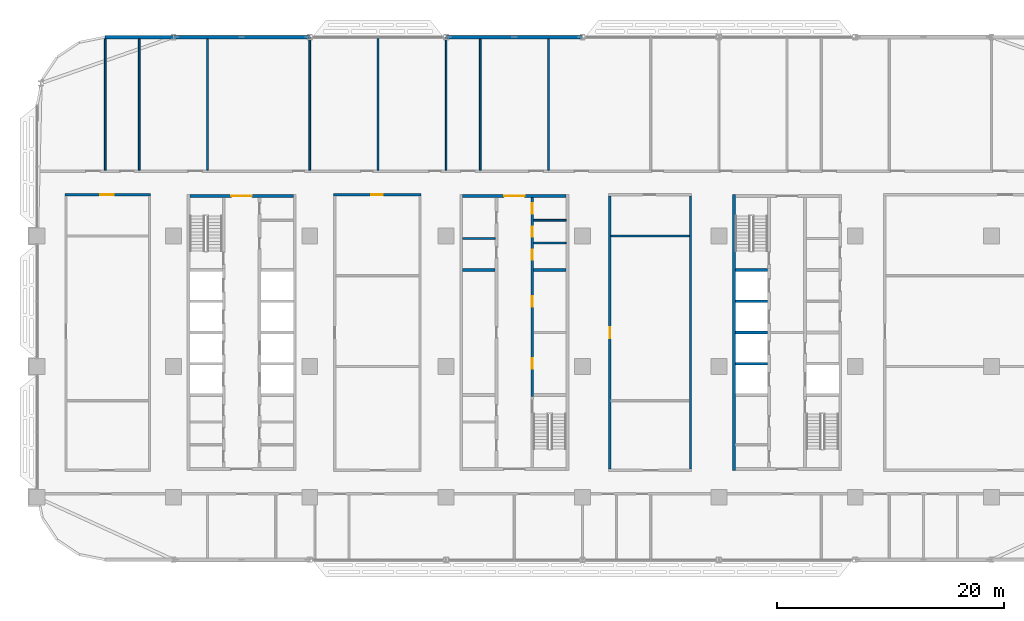
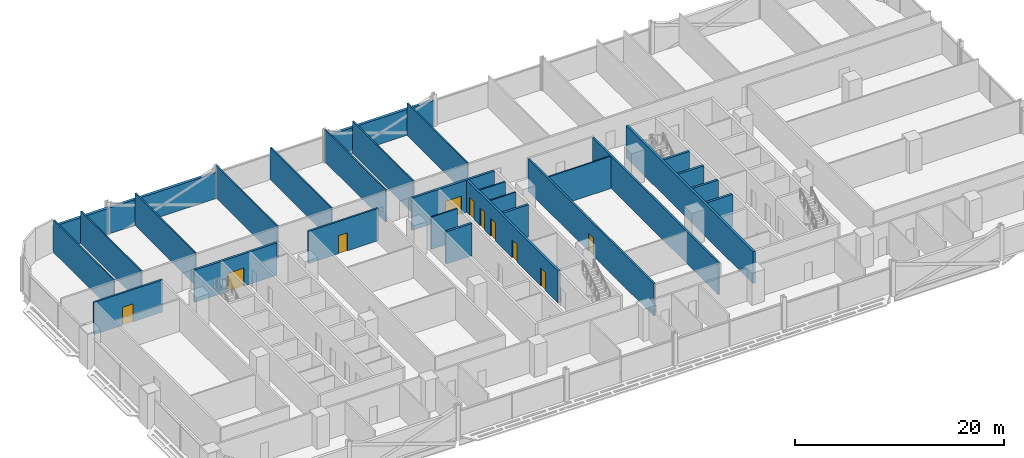
# One storey, part 14 of 29: 29 walls, 10 doors, 10 openings.
"""IFC4 building model written with IfcOpenShell, lengths in metres."""

from ifc_helpers import new_model, si_unit, direction, frame, frame_2d, origin, place, context, subcontext, project, spatial, rectangle, extrude, material, layer, layer_set, type_object, element, fill, save


model = new_model("IFC4")

# Units and contexts
model_context = context("Model", 3, precision=1e-05, world=origin(), true_north=direction((0.0, 1.0)))
body_context = subcontext(model_context, "Body", "Model", "MODEL_VIEW")
ifc_project = project(units=[si_unit("LENGTHUNIT", "METRE"), si_unit("AREAUNIT", "SQUARE_METRE"), si_unit("VOLUMEUNIT", "CUBIC_METRE"), si_unit("PLANEANGLEUNIT", "RADIAN"), si_unit("MASSUNIT", "GRAM", prefix="KILO")], contexts=[model_context])

# Site, building, storey
site_placement = place(None, origin())
site = spatial("IfcSite", under=ifc_project, at=site_placement, CompositionType="ELEMENT")
building_placement = place(site_placement, origin())
building = spatial("IfcBuilding", under=site, at=building_placement, Name="Mahtab Terrace Research Tower", CompositionType="ELEMENT")
storey_placement = place(building_placement, frame((0.0, 0.0, 105.300048828125)))
storey = spatial("IfcBuildingStorey", under=building, at=storey_placement, Name="L24", CompositionType="ELEMENT", Elevation=105.300048828125)

# Walls
ifc_material_1 = material(Name="Gypsum board partition")
ifc_layer_1 = layer(ifc_material_1, 0.14990234375)
ifc_layer_set_1 = layer_set([ifc_layer_1], Name="Core partition 150")
wall_type_1 = type_object("IfcWallType", Name="Core partition 150", PredefinedType="PARTITIONING", material=ifc_layer_set_1)
for number, where, z_axis, x_axis, name in (
    (1, (-4.550048828125, 11.27490234375, 0.0), (0.0, 0.0, 1.0), (1.0, 0.0, 0.0), "Core wall B pWN828"),
    (2, (1.699951171875, 10.875, 0.0), (0.0, 0.0, 1.0), (1.0, 0.0, 0.0), "Core wall B pEN788"),
    (3, (1.699951171875, 12.875, 0.0), (0.0, 0.0, 1.0), (1.0, 0.0, 0.0), "Core wall B pEN988"),
):
    element("IfcWall", number, at=place(storey_placement, frame(where, z_axis=z_axis, x_axis=x_axis)), inside=storey, type_object=wall_type_1, Name=name, PredefinedType="PARTITIONING", context=body_context, shape_type="SweptSolid", body=[
        extrude(rectangle(XDim=2.85009765625, YDim=0.14990234375, at=frame_2d((1.425048828125, 0.0))), origin(), (0.0, 0.0, 1.0), 3.760009765625),
    ])

# Wall, opening, door
ifc_material_2 = material(Name="Concrete C70/85", Category="concrete")
ifc_layer_2 = layer(ifc_material_2, 0.25)
ifc_layer_set_2 = layer_set([ifc_layer_2], Name="Core wall 250")
wall_type_2 = type_object("IfcWallType", Name="Core wall 250", PredefinedType="SOLIDWALL", material=ifc_layer_set_2)
wall_1_placement = place(storey_placement, frame((-28.550048828125, 15.0, 0.0), z_axis=(0.0, 0.0, 1.0), x_axis=(1.0, 0.0, 0.0)))
wall_1 = element("IfcWall", 4, at=wall_1_placement, inside=storey, type_object=wall_type_2, Name="Core wall A endN", PredefinedType="SOLIDWALL", context=body_context, shape_type="SweptSolid", body=[
    extrude(rectangle(XDim=9.10009765625, YDim=0.25, at=frame_2d((4.550048828125, 0.0))), origin(), (0.0, 0.0, 1.0), 3.760009765625),
])
opening_1_placement = place(wall_1_placement, frame((3.64990234375, 0.0, 0.0)))
opening_1 = element("IfcOpeningElement", 5, at=opening_1_placement, cuts=wall_1, Name="Opening A-N1", PredefinedType="OPENING", context=body_context, shape_type="SweptSolid", body=[
    extrude(rectangle(XDim=1.800048828125, YDim=2.10009765625, at=frame_2d((0.89990234375, 1.050048828125))), frame((0.0, 0.135009765625, 0.0), z_axis=(0.0, -1.0, 0.0), x_axis=(1.0, 0.0, 0.0)), (0.0, 0.0, 1.0), 0.27001953125),
])
ifc_material_3 = material(Name="Steel fire door", Category="steel")
door_type_1 = type_object("IfcDoorType", Name="Lobby double door 1800x2100 1 HR", OperationType="DOUBLE_DOOR_SINGLE_SWING", PredefinedType="DOOR", material=ifc_material_3)
door_1_placement = place(opening_1_placement, origin())
door_1 = element("IfcDoor", 6, at=door_1_placement, inside=storey, type_object=door_type_1, Name="Core entrance door A N", OperationType="DOUBLE_DOOR_SINGLE_SWING", OverallHeight=2.10009765625, OverallWidth=1.800048828125, PredefinedType="DOOR", context=body_context, shape_type="SweptSolid", body=[
    extrude(rectangle(XDim=1.800048828125, YDim=2.10009765625, at=frame_2d((0.89990234375, 1.050048828125))), frame((0.0, 0.02490234375, 0.0), z_axis=(0.0, -1.0, 0.0), x_axis=(1.0, 0.0, 0.0)), (0.0, 0.0, 1.0), 0.050048828125),
])
fill(opening_1, door_1)

wall_2_placement = place(storey_placement, frame((-4.550048828125, 15.0, 0.0), z_axis=(0.0, 0.0, 1.0), x_axis=(1.0, 0.0, 0.0)))
wall_2 = element("IfcWall", 7, at=wall_2_placement, inside=storey, type_object=wall_type_2, Name="Core wall B endN", PredefinedType="SOLIDWALL", context=body_context, shape_type="SweptSolid", body=[
    extrude(rectangle(XDim=9.10009765625, YDim=0.25, at=frame_2d((4.550048828125, 0.0))), origin(), (0.0, 0.0, 1.0), 3.760009765625),
])
opening_2_placement = place(wall_2_placement, frame((3.64990234375, 0.0, 0.0)))
opening_2 = element("IfcOpeningElement", 8, at=opening_2_placement, cuts=wall_2, Name="Opening B-N1", PredefinedType="OPENING", context=body_context, shape_type="SweptSolid", body=[
    extrude(rectangle(XDim=1.800048828125, YDim=2.10009765625, at=frame_2d((0.89990234375, 1.050048828125))), frame((0.0, 0.135009765625, 0.0), z_axis=(0.0, -1.0, 0.0), x_axis=(1.0, 0.0, 0.0)), (0.0, 0.0, 1.0), 0.27001953125),
])
door_2_placement = place(opening_2_placement, origin())
door_2 = element("IfcDoor", 9, at=door_2_placement, inside=storey, type_object=door_type_1, Name="Core entrance door B N", OperationType="DOUBLE_DOOR_SINGLE_SWING", OverallHeight=2.10009765625, OverallWidth=1.800048828125, PredefinedType="DOOR", context=body_context, shape_type="SweptSolid", body=[
    extrude(rectangle(XDim=1.800048828125, YDim=2.10009765625, at=frame_2d((0.89990234375, 1.050048828125))), frame((0.0, 0.02490234375, 0.0), z_axis=(0.0, -1.0, 0.0), x_axis=(1.0, 0.0, 0.0)), (0.0, 0.0, 1.0), 0.050048828125),
])
fill(opening_2, door_2)

# Wall, openings, doors
wall_3_placement = place(storey_placement, frame((1.574951171875, 14.875, 0.0), z_axis=(0.0, 0.0, 1.0), x_axis=(0.0, -1.0, 0.0)))
wall_3 = element("IfcWall", 10, at=wall_3_placement, inside=storey, type_object=wall_type_2, Name="Core wall B innerELN", PredefinedType="SOLIDWALL", context=body_context, shape_type="SweptSolid", body=[
    extrude(rectangle(XDim=17.5, YDim=0.25, at=frame_2d((8.75, 0.0))), origin(), (0.0, 0.0, 1.0), 3.760009765625),
])
opening_3_placement = place(wall_3_placement, frame((14.14990234375, 0.0, 0.0)))
opening_3 = element("IfcOpeningElement", 11, at=opening_3_placement, cuts=wall_3, Name="Opening B-R2", PredefinedType="OPENING", context=body_context, shape_type="SweptSolid", body=[
    extrude(rectangle(XDim=0.89990234375, YDim=2.10009765625, at=frame_2d((0.449951171875, 1.050048828125))), frame((0.0, 0.135009765625, 0.0), z_axis=(0.0, -1.0, 0.0), x_axis=(1.0, 0.0, 0.0)), (0.0, 0.0, 1.0), 0.27001953125),
])
opening_4_placement = place(wall_3_placement, frame((8.699951171875, 0.0, 0.0)))
opening_4 = element("IfcOpeningElement", 12, at=opening_4_placement, cuts=wall_3, Name="Opening B-R3", PredefinedType="OPENING", context=body_context, shape_type="SweptSolid", body=[
    extrude(rectangle(XDim=0.89990234375, YDim=2.10009765625, at=frame_2d((0.449951171875, 1.050048828125))), frame((0.0, 0.135009765625, 0.0), z_axis=(0.0, -1.0, 0.0), x_axis=(1.0, 0.0, 0.0)), (0.0, 0.0, 1.0), 0.27001953125),
])
opening_5_placement = place(wall_3_placement, frame((4.58740234375, 0.0, 0.0)))
opening_5 = element("IfcOpeningElement", 13, at=opening_5_placement, cuts=wall_3, Name="Opening B-R8", PredefinedType="OPENING", context=body_context, shape_type="SweptSolid", body=[
    extrude(rectangle(XDim=0.89990234375, YDim=2.10009765625, at=frame_2d((0.449951171875, 1.050048828125))), frame((0.0, 0.135009765625, 0.0), z_axis=(0.0, -1.0, 0.0), x_axis=(1.0, 0.0, 0.0)), (0.0, 0.0, 1.0), 0.27001953125),
])
opening_6_placement = place(wall_3_placement, frame((2.550048828125, 0.0, 0.0)))
opening_6 = element("IfcOpeningElement", 14, at=opening_6_placement, cuts=wall_3, Name="Opening B-R9", PredefinedType="OPENING", context=body_context, shape_type="SweptSolid", body=[
    extrude(rectangle(XDim=0.89990234375, YDim=2.10009765625, at=frame_2d((0.449951171875, 1.050048828125))), frame((0.0, 0.135009765625, 0.0), z_axis=(0.0, -1.0, 0.0), x_axis=(1.0, 0.0, 0.0)), (0.0, 0.0, 1.0), 0.27001953125),
])
opening_7_placement = place(wall_3_placement, frame((0.512451171875, 0.0, 0.0)))
opening_7 = element("IfcOpeningElement", 15, at=opening_7_placement, cuts=wall_3, Name="Opening B-R10", PredefinedType="OPENING", context=body_context, shape_type="SweptSolid", body=[
    extrude(rectangle(XDim=0.89990234375, YDim=2.10009765625, at=frame_2d((0.449951171875, 1.050048828125))), frame((0.0, 0.135009765625, 0.0), z_axis=(0.0, -1.0, 0.0), x_axis=(1.0, 0.0, 0.0)), (0.0, 0.0, 1.0), 0.27001953125),
])
door_type_2 = type_object("IfcDoorType", Name="Room door 900x2100 1 HR", OperationType="NOTDEFINED", PredefinedType="DOOR", material=ifc_material_3)
door_3_placement = place(opening_3_placement, origin())
door_3 = element("IfcDoor", 16, at=door_3_placement, inside=storey, type_object=door_type_2, Name="Document store door", OperationType="SINGLE_SWING_RIGHT", OverallHeight=2.10009765625, OverallWidth=0.89990234375, PredefinedType="DOOR", context=body_context, shape_type="SweptSolid", body=[
    extrude(rectangle(XDim=0.89990234375, YDim=2.10009765625, at=frame_2d((0.449951171875, 1.050048828125))), frame((0.0, 0.02490234375, 0.0), z_axis=(0.0, -1.0, 0.0), x_axis=(1.0, 0.0, 0.0)), (0.0, 0.0, 1.0), 0.050048828125),
])
fill(opening_3, door_3)
door_4_placement = place(opening_4_placement, origin())
door_4 = element("IfcDoor", 17, at=door_4_placement, inside=storey, type_object=door_type_2, Name="IT equipment room door", OperationType="SINGLE_SWING_LEFT", OverallHeight=2.10009765625, OverallWidth=0.89990234375, PredefinedType="DOOR", context=body_context, shape_type="SweptSolid", body=[
    extrude(rectangle(XDim=0.89990234375, YDim=2.10009765625, at=frame_2d((0.449951171875, 1.050048828125))), frame((0.0, 0.02490234375, 0.0), z_axis=(0.0, -1.0, 0.0), x_axis=(1.0, 0.0, 0.0)), (0.0, 0.0, 1.0), 0.050048828125),
])
fill(opening_4, door_4)
door_5_placement = place(opening_5_placement, origin())
door_5 = element("IfcDoor", 18, at=door_5_placement, inside=storey, type_object=door_type_2, Name="Male WC door", OperationType="SINGLE_SWING_RIGHT", OverallHeight=2.10009765625, OverallWidth=0.89990234375, PredefinedType="DOOR", context=body_context, shape_type="SweptSolid", body=[
    extrude(rectangle(XDim=0.89990234375, YDim=2.10009765625, at=frame_2d((0.449951171875, 1.050048828125))), frame((0.0, 0.02490234375, 0.0), z_axis=(0.0, -1.0, 0.0), x_axis=(1.0, 0.0, 0.0)), (0.0, 0.0, 1.0), 0.050048828125),
])
fill(opening_5, door_5)
door_6_placement = place(opening_6_placement, origin())
door_6 = element("IfcDoor", 19, at=door_6_placement, inside=storey, type_object=door_type_2, Name="Female WC door", OperationType="SINGLE_SWING_LEFT", OverallHeight=2.10009765625, OverallWidth=0.89990234375, PredefinedType="DOOR", context=body_context, shape_type="SweptSolid", body=[
    extrude(rectangle(XDim=0.89990234375, YDim=2.10009765625, at=frame_2d((0.449951171875, 1.050048828125))), frame((0.0, 0.02490234375, 0.0), z_axis=(0.0, -1.0, 0.0), x_axis=(1.0, 0.0, 0.0)), (0.0, 0.0, 1.0), 0.050048828125),
])
fill(opening_6, door_6)
door_7_placement = place(opening_7_placement, origin())
door_7 = element("IfcDoor", 20, at=door_7_placement, inside=storey, type_object=door_type_2, Name="Accessible WC door", OperationType="SINGLE_SWING_RIGHT", OverallHeight=2.10009765625, OverallWidth=0.89990234375, PredefinedType="DOOR", context=body_context, shape_type="SweptSolid", body=[
    extrude(rectangle(XDim=0.89990234375, YDim=2.10009765625, at=frame_2d((0.449951171875, 1.050048828125))), frame((0.0, 0.02490234375, 0.0), z_axis=(0.0, -1.0, 0.0), x_axis=(1.0, 0.0, 0.0)), (0.0, 0.0, 1.0), 0.050048828125),
])
fill(opening_7, door_7)

# Walls
for number, where, z_axis, x_axis, name in (
    (21, (-4.550048828125, 8.5, 0.0), (0.0, 0.0, 1.0), (1.0, 0.0, 0.0), "Core wall B divW4"),
    (22, (1.699951171875, 8.5, 0.0), (0.0, 0.0, 1.0), (1.0, 0.0, 0.0), "Core wall B divE4"),
):
    element("IfcWall", number, at=place(storey_placement, frame(where, z_axis=z_axis, x_axis=x_axis)), inside=storey, type_object=wall_type_2, Name=name, PredefinedType="SOLIDWALL", context=body_context, shape_type="SweptSolid", body=[
        extrude(rectangle(XDim=2.85009765625, YDim=0.25, at=frame_2d((1.425048828125, 0.0))), origin(), (0.0, 0.0, 1.0), 3.760009765625),
    ])
wall_4_placement = place(storey_placement, frame((19.324951171875, 15.125, 0.0), z_axis=(0.0, 0.0, 1.0), x_axis=(0.0, -1.0, 0.0)))
element("IfcWall", 23, at=wall_4_placement, inside=storey, type_object=wall_type_2, Name="Core wall C outerW", PredefinedType="SOLIDWALL", context=body_context, shape_type="SweptSolid", body=[
    extrude(rectangle(XDim=24.25, YDim=0.25, at=frame_2d((12.125, 0.0))), origin(), (0.0, 0.0, 1.0), 3.760009765625),
])
for number, where, z_axis, x_axis, name in (
    (24, (19.449951171875, 0.25, 0.0), (0.0, 0.0, 1.0), (1.0, 0.0, 0.0), "Core wall C divW1"),
    (25, (19.449951171875, 3.0, 0.0), (0.0, 0.0, 1.0), (1.0, 0.0, 0.0), "Core wall C divW2"),
    (26, (19.449951171875, 5.75, 0.0), (0.0, 0.0, 1.0), (1.0, 0.0, 0.0), "Core wall C divW3"),
    (27, (19.449951171875, 8.5, 0.0), (0.0, 0.0, 1.0), (1.0, 0.0, 0.0), "Core wall C divW4"),
):
    element("IfcWall", number, at=place(storey_placement, frame(where, z_axis=z_axis, x_axis=x_axis)), inside=storey, type_object=wall_type_2, Name=name, PredefinedType="SOLIDWALL", context=body_context, shape_type="SweptSolid", body=[
        extrude(rectangle(XDim=2.85009765625, YDim=0.25, at=frame_2d((1.425048828125, 0.0))), origin(), (0.0, 0.0, 1.0), 3.760009765625),
    ])
ifc_material_4 = material(Name="Black aluminium cladding panel", Category="aluminium")
ifc_layer_3 = layer(ifc_material_4, 0.300048828125)
ifc_layer_set_3 = layer_set([ifc_layer_3], Name="Opaque facade wall 300")
wall_type_3 = type_object("IfcWallType", Name="Opaque facade wall 300", PredefinedType="NOTDEFINED", material=ifc_layer_set_3)
for number, where, z_axis, x_axis, name in (
    (28, (5.97900390625, 29.0, 0.0), (0.0, 0.0, 1.0), (-1.0, 0.0, 0.0), "Opaque facade wall L24 N7"),
    (29, (-18.02099609375, 29.0, 0.0), (0.0, 0.0, 1.0), (-1.0, 0.0, 0.0), "Opaque facade wall L24 N9"),
):
    element("IfcWall", number, at=place(storey_placement, frame(where, z_axis=z_axis, x_axis=x_axis)), inside=storey, type_object=wall_type_3, Name=name, PredefinedType="NOTDEFINED", context=body_context, shape_type="SweptSolid", body=[
        extrude(rectangle(XDim=11.9580078125, YDim=0.300048828125, at=frame_2d((5.97900390625, 0.0))), origin(), (0.0, 0.0, 1.0), 3.0029296875),
    ])
wall_5_placement = place(storey_placement, frame((-30.02099609375, 29.0, 0.0), z_axis=(0.0, 0.0, 1.0), x_axis=(-1.0, 0.0, 0.0)))
element("IfcWall", 30, at=wall_5_placement, inside=storey, type_object=wall_type_3, Name="Opaque facade wall L24 N10", PredefinedType="NOTDEFINED", context=body_context, shape_type="SweptSolid", body=[
    extrude(rectangle(XDim=5.97900390625, YDim=0.300048828125, at=frame_2d((2.989501953125, 0.0))), origin(), (0.0, 0.0, 1.0), 3.0029296875),
])

# Wall, opening, door
ifc_material_5 = material(Name="Gypsum board corridor wall on steel studs", Category="steel")
ifc_layer_4 = layer(ifc_material_5, 0.199951171875)
ifc_layer_set_4 = layer_set([ifc_layer_4], Name="WALL CORRIDOR 200")
wall_type_4 = type_object("IfcWallType", Name="WALL CORRIDOR 200", PredefinedType="PARTITIONING", material=ifc_layer_set_4)
wall_6_placement = place(storey_placement, frame((-39.550048828125, 15.125, 0.0), z_axis=(0.0, 0.0, 1.0), x_axis=(1.0, 0.0, 0.0)))
wall_6 = element("IfcWall", 31, at=wall_6_placement, inside=storey, type_object=wall_type_4, Name="L24-W022", PredefinedType="PARTITIONING", context=body_context, shape_type="SweptSolid", body=[
    extrude(rectangle(XDim=7.550048828125, YDim=0.199951171875, at=frame_2d((3.77490234375, 0.0))), origin(), (0.0, 0.0, 1.0), 3.760009765625),
])
opening_8_placement = place(wall_6_placement, frame((3.10009765625, 0.0, 0.0)))
opening_8 = element("IfcOpeningElement", 32, at=opening_8_placement, cuts=wall_6, Name="Opening L24-124", PredefinedType="OPENING", context=body_context, shape_type="SweptSolid", body=[
    extrude(rectangle(XDim=1.199951171875, YDim=2.10009765625, at=frame_2d((0.60009765625, 1.050048828125))), frame((0.0, 0.10986328125, 0.0), z_axis=(0.0, -1.0, 0.0), x_axis=(1.0, 0.0, 0.0)), (0.0, 0.0, 1.0), 0.219970703125),
])
ifc_material_6 = material(Name="Timber door leaf in steel frame", Category="steel")
door_type_3 = type_object("IfcDoorType", Name="DOOR 1200X2100 FD30S", OperationType="SINGLE_SWING_LEFT", PredefinedType="DOOR", material=ifc_material_6)
door_8_placement = place(opening_8_placement, origin())
door_8 = element("IfcDoor", 33, at=door_8_placement, inside=storey, type_object=door_type_3, Name="Door L24-124", OperationType="SINGLE_SWING_RIGHT", OverallHeight=2.10009765625, OverallWidth=1.199951171875, PredefinedType="DOOR", context=body_context, shape_type="SweptSolid", body=[
    extrude(rectangle(XDim=1.199951171875, YDim=2.10009765625, at=frame_2d((0.60009765625, 1.050048828125))), frame((0.0, 0.02490234375, 0.0), z_axis=(0.0, -1.0, 0.0), x_axis=(1.0, 0.0, 0.0)), (0.0, 0.0, 1.0), 0.050048828125),
])
fill(opening_8, door_8)

wall_7_placement = place(storey_placement, frame((-15.89990234375, 15.125, 0.0), z_axis=(0.0, 0.0, 1.0), x_axis=(1.0, 0.0, 0.0)))
wall_7 = element("IfcWall", 34, at=wall_7_placement, inside=storey, type_object=wall_type_4, Name="L24-W023", PredefinedType="PARTITIONING", context=body_context, shape_type="SweptSolid", body=[
    extrude(rectangle(XDim=7.699951171875, YDim=0.199951171875, at=frame_2d((3.85009765625, 0.0))), origin(), (0.0, 0.0, 1.0), 3.760009765625),
])
opening_9_placement = place(wall_7_placement, frame((3.300048828125, 0.0, 0.0)))
opening_9 = element("IfcOpeningElement", 35, at=opening_9_placement, cuts=wall_7, Name="Opening L24-122", PredefinedType="OPENING", context=body_context, shape_type="SweptSolid", body=[
    extrude(rectangle(XDim=1.0, YDim=2.10009765625, at=frame_2d((0.5, 1.050048828125))), frame((0.0, 0.10986328125, 0.0), z_axis=(0.0, -1.0, 0.0), x_axis=(1.0, 0.0, 0.0)), (0.0, 0.0, 1.0), 0.219970703125),
])
door_type_4 = type_object("IfcDoorType", Name="DOOR 1000X2100 FD30S", OperationType="SINGLE_SWING_LEFT", PredefinedType="DOOR", material=ifc_material_6)
door_9_placement = place(opening_9_placement, origin())
door_9 = element("IfcDoor", 36, at=door_9_placement, inside=storey, type_object=door_type_4, Name="Door L24-122", OperationType="SINGLE_SWING_RIGHT", OverallHeight=2.10009765625, OverallWidth=1.0, PredefinedType="DOOR", context=body_context, shape_type="SweptSolid", body=[
    extrude(rectangle(XDim=1.0, YDim=2.10009765625, at=frame_2d((0.5, 1.050048828125))), frame((0.0, 0.02490234375, 0.0), z_axis=(0.0, -1.0, 0.0), x_axis=(1.0, 0.0, 0.0)), (0.0, 0.0, 1.0), 0.050048828125),
])
fill(opening_9, door_9)

wall_8_placement = place(storey_placement, frame((8.39990234375, -9.02490234375, 0.0), z_axis=(0.0, 0.0, 1.0), x_axis=(0.0, 1.0, 0.0)))
wall_8 = element("IfcWall", 37, at=wall_8_placement, inside=storey, type_object=wall_type_4, Name="L24-W045", PredefinedType="PARTITIONING", context=body_context, shape_type="SweptSolid", body=[
    extrude(rectangle(XDim=24.0498046875, YDim=0.199951171875, at=frame_2d((12.02490234375, 0.0))), origin(), (0.0, 0.0, 1.0), 3.760009765625),
])
opening_10_placement = place(wall_8_placement, frame((11.5, 0.0, 0.0)))
opening_10 = element("IfcOpeningElement", 38, at=opening_10_placement, cuts=wall_8, Name="Opening L24-120", PredefinedType="OPENING", context=body_context, shape_type="SweptSolid", body=[
    extrude(rectangle(XDim=1.0, YDim=2.10009765625, at=frame_2d((0.5, 1.050048828125))), frame((0.0, 0.10986328125, 0.0), z_axis=(0.0, -1.0, 0.0), x_axis=(1.0, 0.0, 0.0)), (0.0, 0.0, 1.0), 0.219970703125),
])
door_10_placement = place(opening_10_placement, origin())
door_10 = element("IfcDoor", 39, at=door_10_placement, inside=storey, type_object=door_type_4, Name="Door L24-120", OperationType="SINGLE_SWING_RIGHT", OverallHeight=2.10009765625, OverallWidth=1.0, PredefinedType="DOOR", context=body_context, shape_type="SweptSolid", body=[
    extrude(rectangle(XDim=1.0, YDim=2.10009765625, at=frame_2d((0.5, 1.050048828125))), frame((0.0, 0.02490234375, 0.0), z_axis=(0.0, -1.0, 0.0), x_axis=(1.0, 0.0, 0.0)), (0.0, 0.0, 1.0), 0.050048828125),
])
fill(opening_10, door_10)

# Walls
wall_9_placement = place(storey_placement, frame((15.5, -9.02490234375, 0.0), z_axis=(0.0, 0.0, 1.0), x_axis=(0.0, 1.0, 0.0)))
element("IfcWall", 40, at=wall_9_placement, inside=storey, type_object=wall_type_4, Name="L24-W049", PredefinedType="PARTITIONING", context=body_context, shape_type="SweptSolid", body=[
    extrude(rectangle(XDim=24.0498046875, YDim=0.199951171875, at=frame_2d((12.02490234375, 0.0))), origin(), (0.0, 0.0, 1.0), 3.760009765625),
])
ifc_material_7 = material(Name="Gypsum board partition on steel studs", Category="steel")
ifc_layer_5 = layer(ifc_material_7, 0.14990234375)
ifc_layer_set_5 = layer_set([ifc_layer_5], Name="WALL PARTITION 150")
wall_type_5 = type_object("IfcWallType", Name="WALL PARTITION 150", PredefinedType="PARTITIONING", material=ifc_layer_set_5)
wall_10_placement = place(storey_placement, frame((8.5, 11.5, 0.0), z_axis=(0.0, 0.0, 1.0), x_axis=(1.0, 0.0, 0.0)))
element("IfcWall", 41, at=wall_10_placement, inside=storey, type_object=wall_type_5, Name="L24-W021", PredefinedType="PARTITIONING", context=body_context, shape_type="SweptSolid", body=[
    extrude(rectangle(XDim=6.89990234375, YDim=0.14990234375, at=frame_2d((3.449951171875, 0.0))), origin(), (0.0, 0.0, 1.0), 3.760009765625),
])
wall_11_placement = place(storey_placement, frame((-36.0, 17.300048828125, 0.0), z_axis=(0.0, 0.0, 1.0), x_axis=(0.0, 1.0, 0.0)))
element("IfcWall", 42, at=wall_11_placement, inside=storey, type_object=wall_type_5, Name="L24-W028", PredefinedType="PARTITIONING", context=body_context, shape_type="SweptSolid", body=[
    extrude(rectangle(XDim=11.547119140625, YDim=0.14990234375, at=frame_2d((5.7734375, 0.0))), origin(), (0.0, 0.0, 1.0), 3.760009765625),
])
for number, where, z_axis, x_axis, name in (
    (43, (-33.0, 17.300048828125, 0.0), (0.0, 0.0, 1.0), (0.0, 1.0, 0.0), "L24-W029"),
    (44, (-27.0, 17.300048828125, 0.0), (0.0, 0.0, 1.0), (0.0, 1.0, 0.0), "L24-W032"),
):
    element("IfcWall", number, at=place(storey_placement, frame(where, z_axis=z_axis, x_axis=x_axis)), inside=storey, type_object=wall_type_5, Name=name, PredefinedType="PARTITIONING", context=body_context, shape_type="SweptSolid", body=[
        extrude(rectangle(XDim=11.550048828125, YDim=0.14990234375, at=frame_2d((5.77490234375, 0.0))), origin(), (0.0, 0.0, 1.0), 3.760009765625),
    ])
for number, where, z_axis, x_axis, name in (
    (45, (-18.0, 17.300048828125, 0.0), (0.0, 0.0, 1.0), (0.0, 1.0, 0.0), "L24-W034"),
    (46, (-12.0, 17.300048828125, 0.0), (0.0, 0.0, 1.0), (0.0, 1.0, 0.0), "L24-W038"),
    (47, (-6.0, 17.300048828125, 0.0), (0.0, 0.0, 1.0), (0.0, 1.0, 0.0), "L24-W040"),
):
    element("IfcWall", number, at=place(storey_placement, frame(where, z_axis=z_axis, x_axis=x_axis)), inside=storey, type_object=wall_type_5, Name=name, PredefinedType="PARTITIONING", context=body_context, shape_type="SweptSolid", body=[
        extrude(rectangle(XDim=11.675048828125, YDim=0.14990234375, at=frame_2d((5.83740234375, 0.0))), origin(), (0.0, 0.0, 1.0), 3.760009765625),
    ])
for number, where, z_axis, x_axis, name in (
    (48, (-3.0, 17.300048828125, 0.0), (0.0, 0.0, 1.0), (0.0, 1.0, 0.0), "L24-W041"),
    (49, (3.0, 17.300048828125, 0.0), (0.0, 0.0, 1.0), (0.0, 1.0, 0.0), "L24-W043"),
):
    element("IfcWall", number, at=place(storey_placement, frame(where, z_axis=z_axis, x_axis=x_axis)), inside=storey, type_object=wall_type_5, Name=name, PredefinedType="PARTITIONING", context=body_context, shape_type="SweptSolid", body=[
        extrude(rectangle(XDim=11.550048828125, YDim=0.14990234375, at=frame_2d((5.77490234375, 0.0))), origin(), (0.0, 0.0, 1.0), 3.760009765625),
    ])

save(model, "model.ifc")
